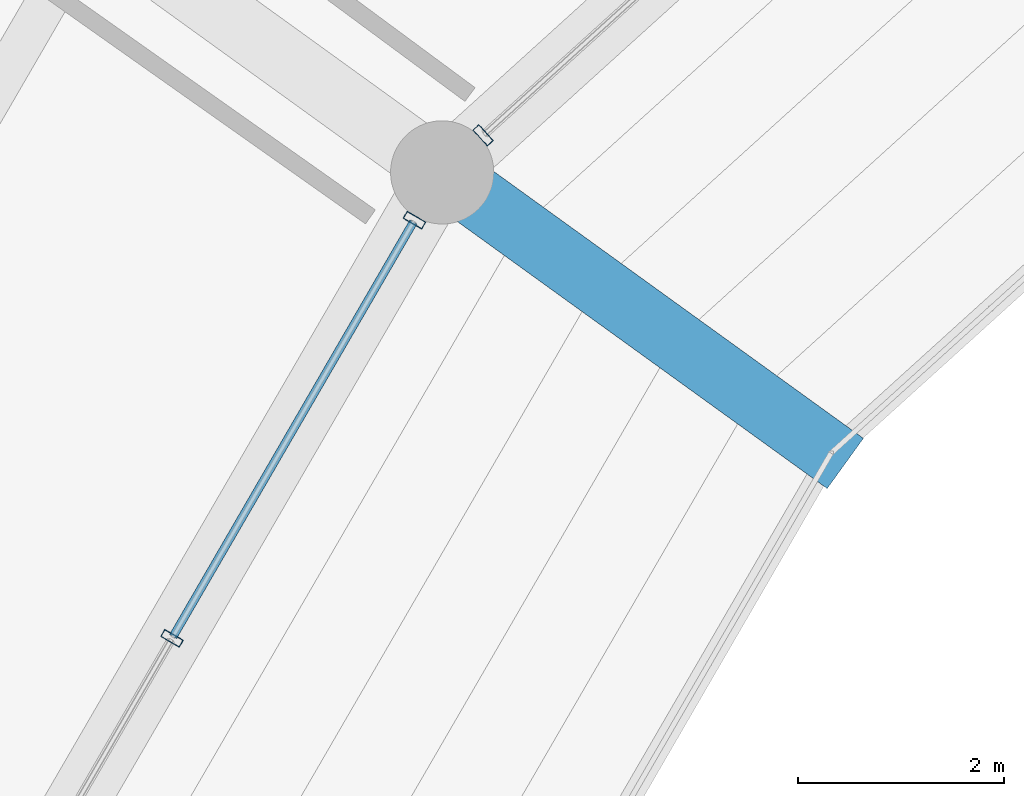
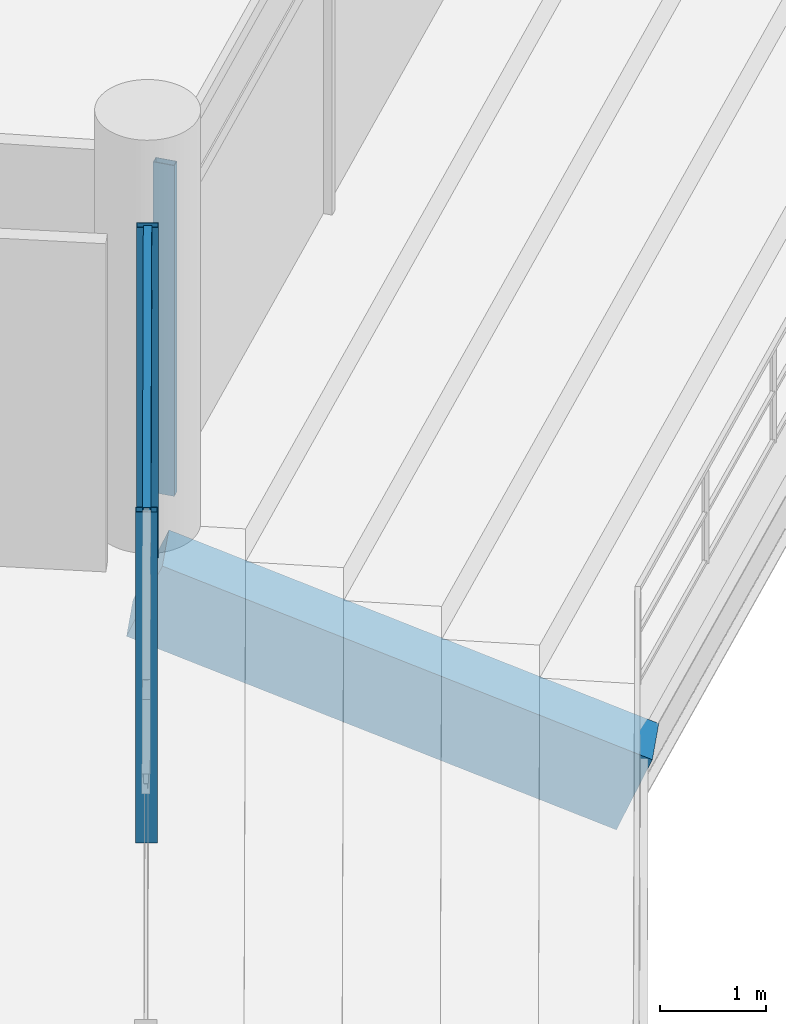
# One storey, part 48 of 171: 5 members, 1 beam, 2 elements without a shape of their own.
"""IFC4 building model written with IfcOpenShell, lengths in metres."""

from ifc_helpers import new_model, si_unit, direction, frame, origin, origin_2d, place, context, subcontext, project, spatial, rectangle, hollow_rectangle, extrude, material, layer, layer_set, material_profile, profile_set, type_object, element, aggregate, save


model = new_model("IFC4")

# Units and contexts
model_context = context("Model", 3, precision=1e-05, world=origin(), true_north=direction((0.0, 1.0)))
body_context = subcontext(model_context, "Body", "Model", "MODEL_VIEW")
ifc_project = project(units=[si_unit("LENGTHUNIT", "METRE"), si_unit("AREAUNIT", "SQUARE_METRE"), si_unit("VOLUMEUNIT", "CUBIC_METRE"), si_unit("PLANEANGLEUNIT", "RADIAN"), si_unit("MASSUNIT", "GRAM", prefix="KILO")], contexts=[model_context])

# Site, building, storey
site_placement = place(None, origin())
site = spatial("IfcSite", under=ifc_project, at=site_placement, CompositionType="ELEMENT")
building_placement = place(site_placement, origin())
building = spatial("IfcBuilding", under=site, at=building_placement, Name="Kazemori Nagisa Stadium", CompositionType="ELEMENT")
storey_placement = place(building_placement, frame((0.0, 0.0, 15.639892578125)))
storey = spatial("IfcBuildingStorey", under=building, at=storey_placement, Name="L03", CompositionType="ELEMENT", Elevation=15.639892578125)

# Beam
ifc_material_1 = material(Name="Concrete C40/50 (Fc42)", Category="concrete")
ifc_material_profile_1 = material_profile(ifc_material_1, rectangle(XDim=0.60009765625, YDim=0.89990234375, at=origin_2d()), Name="RC-RK-600x900")
ifc_profile_set_1 = profile_set([ifc_material_profile_1], Name="Concrete C40/50 (Fc42)")
beam_type = type_object("IfcBeamType", Name="Beam_RK-RC600X900", PredefinedType="USERDEFINED", material=ifc_profile_set_1)
beam_placement = place(storey_placement, frame((69.466064453125, 140.647216796875, -2.58984375), z_axis=(-0.750462311942, 0.541838457728, 0.378440753728), x_axis=(-0.585375455135, -0.810762342814, 0.0)))
element("IfcBeam", 1, at=beam_placement, inside=storey, type_object=beam_type, Name="Raker beam club RK2-12", ObjectType="RAKER BEAM", PredefinedType="USERDEFINED", context=body_context, shape_type="SweptSolid", body=[
    extrude(rectangle(XDim=0.60009765625, YDim=0.89990234375, at=origin_2d()), origin(), (0.0, 0.0, 1.0), 5.020263671875),
])

# Curtain wall, member
ifc_material_2 = material(Name="Anodised aluminium 6063-T5", Category="aluminium")
ifc_layer_1 = layer(ifc_material_2, 0.2099609375, Name="Anodised aluminium 6063-T5", Category="aluminium")
ifc_layer_set_1 = layer_set([ifc_layer_1], Name="Anodised aluminium 6063-T5")
curtain_wall_type_1 = type_object("IfcCurtainWallType", Name="CW_L03B_73", PredefinedType="USERDEFINED", material=ifc_layer_set_1)
curtain_wall_1_placement = place(storey_placement, origin())
curtain_wall_1 = element("IfcCurtainWall", 2, at=curtain_wall_1_placement, inside=storey, type_object=curtain_wall_type_1, Name="Unitised curtain wall CW-L03B-73 L03", ObjectType="UNITISED CURTAIN WALL", PredefinedType="USERDEFINED")
ifc_material_3 = material(Name="Aluminium 6063-T5 anodised", Category="aluminium")
ifc_material_profile_2 = material_profile(ifc_material_3, hollow_rectangle(XDim=0.080078125, YDim=0.2099609375, WallThickness=0.0048828125, at=origin_2d()), Name="ALU-MULL-80x210x5")
ifc_profile_set_2 = profile_set([ifc_material_profile_2], Name="Aluminium 6063-T5 anodised")
member_type_1 = type_object("IfcMemberType", Name="Mullion_M02", PredefinedType="MULLION", material=ifc_profile_set_2)
member_1_placement = place(storey_placement, frame((66.094970703125, 143.726318359375, 0.0), z_axis=(0.0, 0.0, 1.0), x_axis=(-0.741350875443, -0.671117634607, 0.0)))
member_1 = element("IfcMember", 3, at=member_1_placement, type_object=member_type_1, Name="Curtain wall mullion CW-L03B-73-M4", PredefinedType="MULLION", context=body_context, shape_type="SweptSolid", body=[
    extrude(hollow_rectangle(XDim=0.080078125, YDim=0.2099609375, WallThickness=0.0048828125, at=origin_2d()), origin(), (0.0, 0.0, 1.0), 3.81005859375),
])
aggregate(curtain_wall_1, [member_1])

# Curtain wall, members
ifc_layer_2 = layer(ifc_material_2, 0.2099609375, Name="Anodised aluminium 6063-T5", Category="aluminium")
ifc_layer_set_2 = layer_set([ifc_layer_2], Name="Anodised aluminium 6063-T5")
curtain_wall_type_2 = type_object("IfcCurtainWallType", Name="CW_L03B_71", PredefinedType="USERDEFINED", material=ifc_layer_set_2)
curtain_wall_2_placement = place(storey_placement, origin())
curtain_wall_2 = element("IfcCurtainWall", 4, at=curtain_wall_2_placement, inside=storey, type_object=curtain_wall_type_2, Name="Unitised curtain wall CW-L03B-71 L03", ObjectType="UNITISED CURTAIN WALL", PredefinedType="USERDEFINED")
member_2_placement = place(storey_placement, frame((65.429931640625, 142.904541015625, 0.0), z_axis=(0.0, 0.0, 1.0), x_axis=(-0.501611590054, -0.865092950337, 0.0)))
member_2 = element("IfcMember", 5, at=member_2_placement, type_object=member_type_1, Name="Curtain wall mullion CW-L03B-71-M1", PredefinedType="MULLION", context=body_context, shape_type="SweptSolid", body=[
    extrude(hollow_rectangle(XDim=0.080078125, YDim=0.2099609375, WallThickness=0.0048828125, at=origin_2d()), origin(), (0.0, 0.0, 1.0), 3.81005859375),
])
member_3_placement = place(storey_placement, frame((63.080810546875, 138.85302734375, 0.0), z_axis=(0.0, 0.0, 1.0), x_axis=(-0.501611590054, -0.865092950337, 0.0)))
member_3 = element("IfcMember", 6, at=member_3_placement, type_object=member_type_1, Name="Curtain wall mullion CW-L03B-71-M2", PredefinedType="MULLION", context=body_context, shape_type="SweptSolid", body=[
    extrude(hollow_rectangle(XDim=0.080078125, YDim=0.2099609375, WallThickness=0.0048828125, at=origin_2d()), origin(), (0.0, 0.0, 1.0), 3.81005859375),
])
ifc_material_profile_3 = material_profile(ifc_material_3, hollow_rectangle(XDim=0.080078125, YDim=0.159912109375, WallThickness=0.00390625, at=origin_2d()), Name="ALU-TRAN-80x160x4")
ifc_profile_set_3 = profile_set([ifc_material_profile_3], Name="Aluminium 6063-T5 anodised")
member_type_2 = type_object("IfcMemberType", Name="Transom_T02", PredefinedType="USERDEFINED", material=ifc_profile_set_3)
member_4_placement = place(storey_placement, frame((65.419921875, 142.88720703125, 3.010009765625), z_axis=(-0.501610282552, -0.865093708472, 0.0), x_axis=(0.865093708472, -0.501610282552, 0.0)))
member_4 = element("IfcMember", 7, at=member_4_placement, type_object=member_type_2, Name="Curtain wall transom CW-L03B-71-T1-mid", ObjectType="TRANSOM", PredefinedType="USERDEFINED", context=body_context, shape_type="SweptSolid", body=[
    extrude(hollow_rectangle(XDim=0.080078125, YDim=0.159912109375, WallThickness=0.00390625, at=origin_2d()), origin(), (0.0, 0.0, 1.0), 4.643310546875),
])
member_5_placement = place(storey_placement, frame((65.419921875, 142.88720703125, 3.739990234375), z_axis=(-0.501610282552, -0.865093708472, 0.0), x_axis=(0.865093708472, -0.501610282552, 0.0)))
member_5 = element("IfcMember", 8, at=member_5_placement, type_object=member_type_2, Name="Curtain wall transom CW-L03B-71-T1-head", ObjectType="TRANSOM", PredefinedType="USERDEFINED", context=body_context, shape_type="SweptSolid", body=[
    extrude(hollow_rectangle(XDim=0.080078125, YDim=0.159912109375, WallThickness=0.00390625, at=origin_2d()), origin(), (0.0, 0.0, 1.0), 4.643310546875),
])
aggregate(curtain_wall_2, [member_2, member_3, member_4, member_5])

save(model, "model.ifc")
